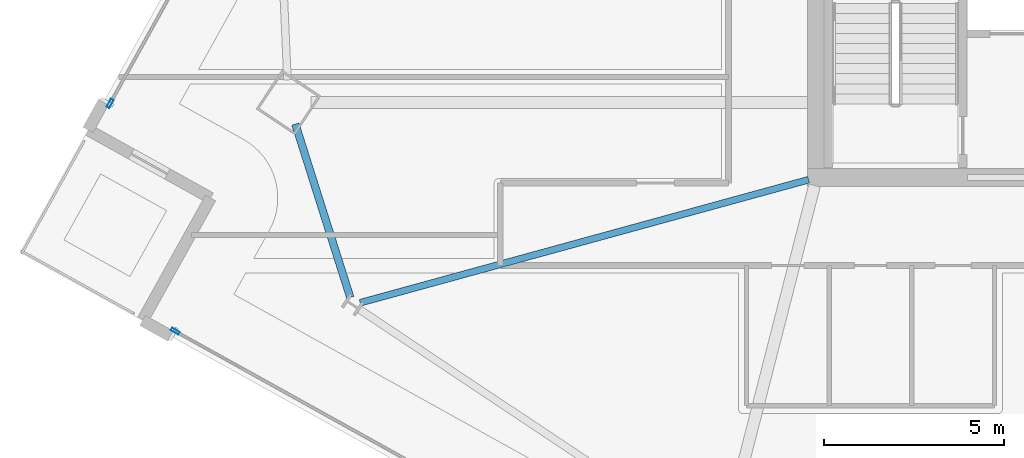
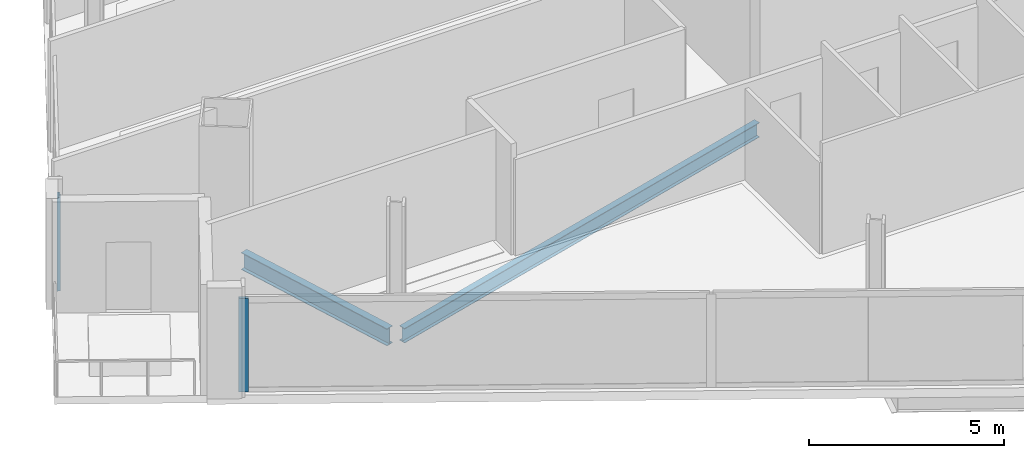
# One storey, part 5 of 28: 2 beams, 2 members, 2 elements without a shape of their own.
"""IFC4 building model written with IfcOpenShell, lengths in metres."""

from ifc_helpers import new_model, si_unit, direction, frame, origin, origin_2d, place, context, subcontext, project, spatial, hollow_rectangle, i_section, extrude, material, material_profile, profile_set, type_object, element, aggregate, save


model = new_model("IFC4")

# Units and contexts
model_context = context("Model", 3, precision=1e-05, world=origin(), true_north=direction((0.0, 1.0)))
body_context = subcontext(model_context, "Body", "Model", "MODEL_VIEW")
ifc_project = project(units=[si_unit("LENGTHUNIT", "METRE"), si_unit("AREAUNIT", "SQUARE_METRE"), si_unit("VOLUMEUNIT", "CUBIC_METRE"), si_unit("PLANEANGLEUNIT", "RADIAN"), si_unit("MASSUNIT", "GRAM", prefix="KILO")], contexts=[model_context])

# Site, building, storey
site_placement = place(None, origin())
site = spatial("IfcSite", under=ifc_project, at=site_placement, CompositionType="ELEMENT")
building_placement = place(site_placement, origin())
building = spatial("IfcBuilding", under=site, at=building_placement, Name="Haldenkirk Collegiate Tower", CompositionType="ELEMENT")
storey_placement = place(building_placement, frame((0.0, 0.0, 232.199951171875)))
storey = spatial("IfcBuildingStorey", under=building, at=storey_placement, Name="L58", CompositionType="ELEMENT", Elevation=232.199951171875)

# Beams
ifc_material_1 = material(Name="Steel ASTM A992 Grade 50", Category="steel")
ifc_material_profile_1 = material_profile(ifc_material_1, i_section(OverallWidth=0.18994140625, OverallDepth=0.45703125, WebThickness=0.009033203125, FlangeThickness=0.014404296875, at=origin_2d()), Name="W18X50")
ifc_profile_set_1 = profile_set([ifc_material_profile_1], Name="Steel ASTM A992 Grade 50")
beam_type_1 = type_object("IfcBeamType", Name="BM-JOIST-W18X50", PredefinedType="JOIST", material=ifc_profile_set_1)
beam_1_placement = place(storey_placement, frame((14.2978515625, 14.514892578125, -0.508544921875), z_axis=(0.964359566427, 0.264595212807, 0.0), x_axis=(-0.264595212807, 0.964359566427, 0.0)))
element("IfcBeam", 1, at=beam_1_placement, inside=storey, type_object=beam_type_1, Name="L58 composite floor joist 14", PredefinedType="JOIST", context=body_context, shape_type="SweptSolid", body=[
    extrude(i_section(OverallWidth=0.18994140625, OverallDepth=0.45703125, WebThickness=0.009033203125, FlangeThickness=0.014404296875, at=origin_2d()), origin(), (0.0, 0.0, 1.0), 12.941650390625),
])
ifc_material_profile_2 = material_profile(ifc_material_1, i_section(OverallWidth=0.2099609375, OverallDepth=0.537109375, WebThickness=0.010986328125, FlangeThickness=0.017333984375, at=origin_2d()), Name="W21X68")
ifc_profile_set_2 = profile_set([ifc_material_profile_2], Name="Steel ASTM A992 Grade 50")
beam_type_2 = type_object("IfcBeamType", Name="BM-SPANDREL-W21X68", PredefinedType="SPANDREL", material=ifc_profile_set_2)
beam_2_placement = place(storey_placement, frame((12.494873046875, 19.489013671875, -0.54833984375), z_axis=(0.301937009704, -0.95332787758, 0.0), x_axis=(0.95332787758, 0.301937009704, 0.0)))
element("IfcBeam", 2, at=beam_2_placement, inside=storey, type_object=beam_type_2, Name="L58 perimeter spandrel beam 13", PredefinedType="SPANDREL", context=body_context, shape_type="SweptSolid", body=[
    extrude(i_section(OverallWidth=0.2099609375, OverallDepth=0.537109375, WebThickness=0.010986328125, FlangeThickness=0.017333984375, at=origin_2d()), origin(), (0.0, 0.0, 1.0), 5.060791015625),
])

# Curtain wall, member
ifc_material_2 = material(Name="Anodised architectural bronze aluminium", Category="aluminium")
curtain_wall_type = type_object("IfcCurtainWallType", Name="CW-SYS1B-CONVEX-HI", PredefinedType="USERDEFINED", material=ifc_material_2)
curtain_wall_1_placement = place(storey_placement, origin())
curtain_wall_1 = element("IfcCurtainWall", 3, at=curtain_wall_1_placement, inside=storey, type_object=curtain_wall_type, Name="L58 Upper tower high-wind convex bronze unitised curtain wall", ObjectType="UNITISED CURTAIN WALL", PredefinedType="USERDEFINED")
ifc_material_profile_3 = material_profile(ifc_material_2, hollow_rectangle(XDim=0.0849609375, YDim=0.25, WallThickness=0.0048828125, at=origin_2d()), Name="CW-MUL-1B")
ifc_profile_set_3 = profile_set([ifc_material_profile_3], Name="Anodised architectural bronze aluminium")
member_type = type_object("IfcMemberType", Name="CW-MUL-1B", PredefinedType="MULLION", material=ifc_profile_set_3)
member_1_placement = place(storey_placement, frame((7.341064453125, 20.0615234375, 0.0), z_axis=(0.0, 0.0, 1.0), x_axis=(-0.874196560948, 0.485572211753, 0.0)))
member_1 = element("IfcMember", 4, at=member_1_placement, type_object=member_type, Name="CW-1B mullion 1", PredefinedType="MULLION", context=body_context, shape_type="SweptSolid", body=[
    extrude(hollow_rectangle(XDim=0.0849609375, YDim=0.25, WallThickness=0.0048828125, at=origin_2d()), origin(), (0.0, 0.0, 1.0), 2.927978515625),
])
aggregate(curtain_wall_1, [member_1])

curtain_wall_2_placement = place(storey_placement, origin())
curtain_wall_2 = element("IfcCurtainWall", 5, at=curtain_wall_2_placement, inside=storey, type_object=curtain_wall_type, Name="L58 Upper tower high-wind convex bronze unitised curtain wall", ObjectType="UNITISED CURTAIN WALL", PredefinedType="USERDEFINED")
member_2_placement = place(storey_placement, frame((9.15283203125, 13.7216796875, 0.0), z_axis=(0.0, 0.0, 1.0), x_axis=(-0.485574440308, -0.874195323094, 0.0)))
member_2 = element("IfcMember", 6, at=member_2_placement, type_object=member_type, Name="CW-1B mullion 4", PredefinedType="MULLION", context=body_context, shape_type="SweptSolid", body=[
    extrude(hollow_rectangle(XDim=0.0849609375, YDim=0.25, WallThickness=0.0048828125, at=origin_2d()), origin(), (0.0, 0.0, 1.0), 2.927978515625),
])
aggregate(curtain_wall_2, [member_2])

save(model, "model.ifc")
